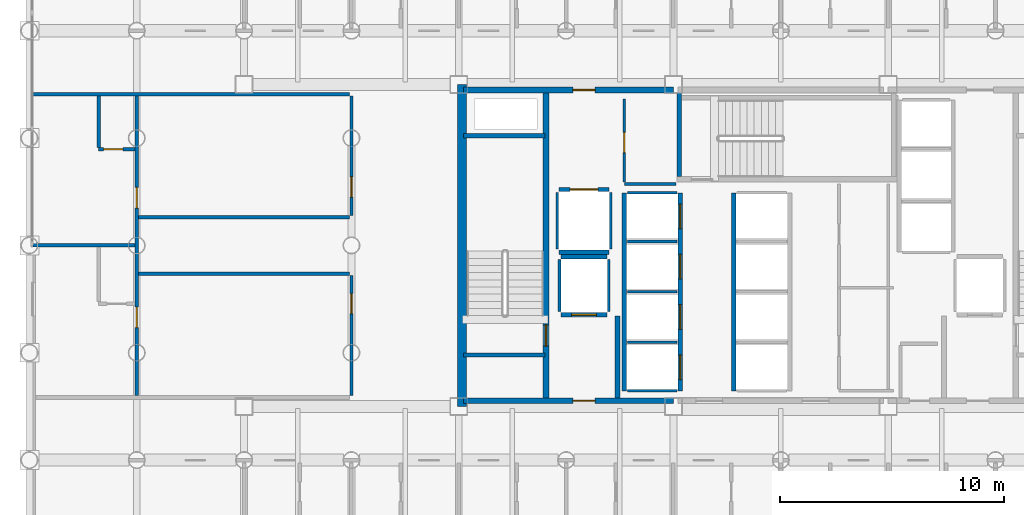
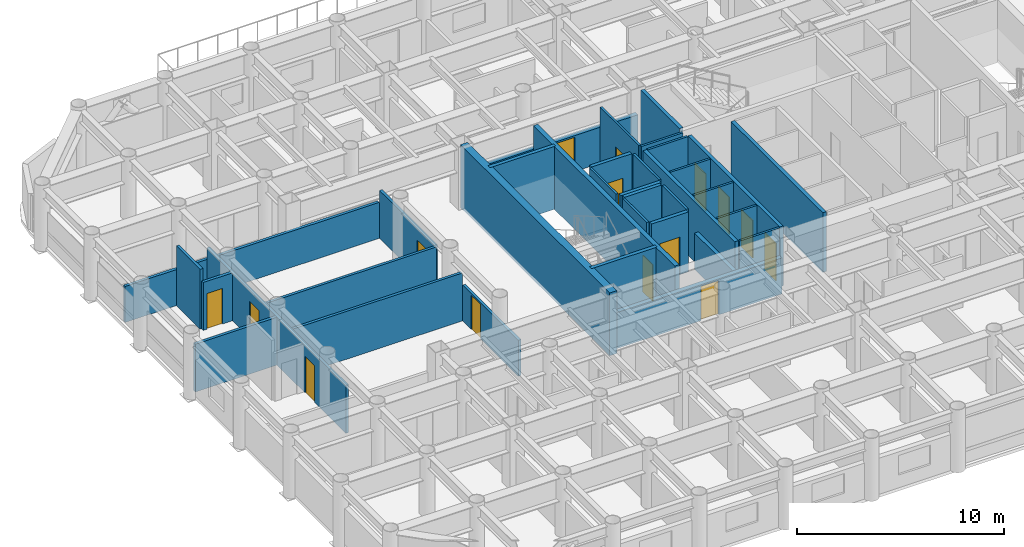
# One storey, part 18 of 24: 35 walls, 15 doors, 15 openings.
"""IFC4 building model written with IfcOpenShell, lengths in metres."""

from ifc_helpers import new_model, si_unit, direction, frame, frame_2d, origin, place, context, subcontext, project, spatial, rectangle, extrude, material, layer, layer_set, type_object, element, fill, save


model = new_model("IFC4")

# Units and contexts
model_context = context("Model", 3, precision=1e-05, world=origin(), true_north=direction((0.0, 1.0)))
body_context = subcontext(model_context, "Body", "Model", "MODEL_VIEW")
ifc_project = project(units=[si_unit("LENGTHUNIT", "METRE"), si_unit("AREAUNIT", "SQUARE_METRE"), si_unit("VOLUMEUNIT", "CUBIC_METRE"), si_unit("PLANEANGLEUNIT", "RADIAN"), si_unit("MASSUNIT", "GRAM", prefix="KILO")], contexts=[model_context])

# Site, building, storey
site_placement = place(None, origin())
site = spatial("IfcSite", under=ifc_project, at=site_placement, CompositionType="ELEMENT")
building_placement = place(site_placement, origin())
building = spatial("IfcBuilding", under=site, at=building_placement, Name="Kallvorn Hotel Tower", CompositionType="ELEMENT")
storey_placement = place(building_placement, frame((0.0, 0.0, 30.0)))
storey = spatial("IfcBuildingStorey", under=building, at=storey_placement, Name="L05", CompositionType="ELEMENT", Elevation=30.0)

# Walls
ifc_material_1 = material(Name="Concrete C50/60", Category="concrete")
ifc_layer_1 = layer(ifc_material_1, 0.39990234375)
ifc_layer_set_1 = layer_set([ifc_layer_1], Name="WL_CORE_400")
wall_type_1 = type_object("IfcWallType", Name="WL_CORE_400", PredefinedType="SHEAR", material=ifc_layer_set_1)
wall_1_placement = place(storey_placement, frame((-14.264892578125, -7.199951171875, -0.179931640625), z_axis=(0.0, 0.0, 1.0), x_axis=(0.0, 1.0, 0.0)))
element("IfcWall", 1, at=wall_1_placement, inside=storey, type_object=wall_type_1, Name="L05 Core West Shear Wall", PredefinedType="SHEAR", context=body_context, shape_type="SweptSolid", body=[
    extrude(rectangle(XDim=14.39990234375, YDim=0.39990234375, at=frame_2d((7.199951171875, 0.0))), origin(), (0.0, 0.0, 1.0), 3.699951171875),
])
ifc_material_2 = material(Name="Fire-rated double-layer acoustic gypsum drywall EI 60")
ifc_layer_2 = layer(ifc_material_2, 0.159912109375)
ifc_layer_set_2 = layer_set([ifc_layer_2], Name="WL_DEMISE_160")
wall_type_2 = type_object("IfcWallType", Name="WL_DEMISE_160", PredefinedType="PARTITIONING", material=ifc_layer_set_2)
wall_2_placement = place(storey_placement, frame((-33.429931640625, 0.0, 0.0), z_axis=(0.0, 0.0, 1.0), x_axis=(1.0, 0.0, 0.0)))
element("IfcWall", 2, at=wall_2_placement, inside=storey, type_object=wall_type_2, Name="L05 Suite 502 W Andean Twin Room Partition", PredefinedType="PARTITIONING", context=body_context, shape_type="SweptSolid", body=[
    extrude(rectangle(XDim=4.550048828125, YDim=0.159912109375, at=frame_2d((2.27490234375, 0.0))), origin(), (0.0, 0.0, 1.0), 2.820068359375),
])

# Wall, opening, door
wall_3_placement = place(storey_placement, frame((-30.5, 4.300048828125, 0.0), z_axis=(0.0, 0.0, 1.0), x_axis=(1.0, 0.0, 0.0)))
wall_3 = element("IfcWall", 3, at=wall_3_placement, inside=storey, type_object=wall_type_2, Name="L05 Suite 502 W Andean Twin Room Partition", PredefinedType="PARTITIONING", context=body_context, shape_type="SweptSolid", body=[
    extrude(rectangle(XDim=1.6201171875, YDim=0.159912109375, at=frame_2d((0.81005859375, 0.0))), origin(), (0.0, 0.0, 1.0), 2.820068359375),
])
opening_1_placement = place(wall_3_placement, frame((0.219970703125, 0.0, 0.0)))
opening_1 = element("IfcOpeningElement", 4, at=opening_1_placement, cuts=wall_3, Name="Opening BD-I", PredefinedType="OPENING", context=body_context, shape_type="SweptSolid", body=[
    extrude(rectangle(XDim=0.860107421875, YDim=2.10009765625, at=frame_2d((0.43017578125, 1.050048828125))), frame((0.0, 0.094970703125, 0.0), z_axis=(0.0, -1.0, 0.0), x_axis=(1.0, 0.0, 0.0)), (0.0, 0.0, 1.0), 0.18994140625),
])
ifc_material_3 = material(Name="Solid-core walnut veneer fire-rated timber door leaf", Category="wood")
door_type_1 = type_object("IfcDoorType", Name="DR_BATH_860x2100", OperationType="NOTDEFINED", PredefinedType="DOOR", material=ifc_material_3)
door_1_placement = place(opening_1_placement, origin())
door_1 = element("IfcDoor", 5, at=door_1_placement, inside=storey, type_object=door_type_1, Name="L05 Suite 502 En-Suite Bathroom Door", OperationType="SINGLE_SWING_LEFT", OverallHeight=2.10009765625, OverallWidth=0.860107421875, PredefinedType="DOOR", context=body_context, shape_type="SweptSolid", body=[
    extrude(rectangle(XDim=0.860107421875, YDim=2.10009765625, at=frame_2d((0.43017578125, 1.050048828125))), frame((0.0, 0.02490234375, 0.0), z_axis=(0.0, -1.0, 0.0), x_axis=(1.0, 0.0, 0.0)), (0.0, 0.0, 1.0), 0.050048828125),
])
fill(opening_1, door_1)

# Walls
wall_4_placement = place(storey_placement, frame((-33.429931640625, 6.75830078125, 0.0), z_axis=(0.0, 0.0, 1.0), x_axis=(1.0, 0.0, 0.0)))
element("IfcWall", 6, at=wall_4_placement, inside=storey, type_object=wall_type_2, Name="L05 Suite 502 W Andean Twin Room Partition", PredefinedType="PARTITIONING", context=body_context, shape_type="SweptSolid", body=[
    extrude(rectangle(XDim=14.14990234375, YDim=0.159912109375, at=frame_2d((7.074951171875, 0.0))), origin(), (0.0, 0.0, 1.0), 2.1201171875),
])
wall_5_placement = place(storey_placement, frame((-30.5, 4.385009765625, 0.0), z_axis=(0.0, 0.0, 1.0), x_axis=(0.0, 1.0, 0.0)))
element("IfcWall", 7, at=wall_5_placement, inside=storey, type_object=wall_type_2, Name="L05 Suite 502 W Andean Twin Room Partition", PredefinedType="PARTITIONING", context=body_context, shape_type="SweptSolid", body=[
    extrude(rectangle(XDim=2.288330078125, YDim=0.159912109375, at=frame_2d((1.14404296875, 0.0))), origin(), (0.0, 0.0, 1.0), 3.52001953125),
])

# Wall, openings, doors
wall_6_placement = place(storey_placement, frame((-28.800048828125, -6.715087890625, 0.0), z_axis=(0.0, 0.0, 1.0), x_axis=(0.0, 1.0, 0.0)))
wall_6 = element("IfcWall", 8, at=wall_6_placement, inside=storey, type_object=wall_type_2, Name="L05 Suite 501 W Loggia King Room Partition", PredefinedType="PARTITIONING", context=body_context, shape_type="SweptSolid", body=[
    extrude(rectangle(XDim=13.388427734375, YDim=0.159912109375, at=frame_2d((6.6943359375, 0.0))), origin(), (0.0, 0.0, 1.0), 2.820068359375),
])
opening_2_placement = place(wall_6_placement, frame((3.034912109375, 0.0, 0.0)))
opening_2 = element("IfcOpeningElement", 9, at=opening_2_placement, cuts=wall_6, Name="Opening GD1", PredefinedType="OPENING", context=body_context, shape_type="SweptSolid", body=[
    extrude(rectangle(XDim=0.919921875, YDim=2.14990234375, at=frame_2d((0.4599609375, 1.074951171875))), frame((0.0, 0.094970703125, 0.0), z_axis=(0.0, -1.0, 0.0), x_axis=(1.0, 0.0, 0.0)), (0.0, 0.0, 1.0), 0.18994140625),
])
opening_3_placement = place(wall_6_placement, frame((8.385009765625, 0.0, 0.0)))
opening_3 = element("IfcOpeningElement", 10, at=opening_3_placement, cuts=wall_6, Name="Opening GD1", PredefinedType="OPENING", context=body_context, shape_type="SweptSolid", body=[
    extrude(rectangle(XDim=0.919921875, YDim=2.14990234375, at=frame_2d((0.4599609375, 1.074951171875))), frame((0.0, 0.094970703125, 0.0), z_axis=(0.0, -1.0, 0.0), x_axis=(1.0, 0.0, 0.0)), (0.0, 0.0, 1.0), 0.18994140625),
])
ifc_material_4 = material(Name="Solid-core walnut veneer fire-rated timber door leaf", Category="wood")
door_type_2 = type_object("IfcDoorType", Name="DR_GUEST_920x2150", OperationType="NOTDEFINED", PredefinedType="DOOR", material=ifc_material_4)
door_2_placement = place(opening_2_placement, origin())
door_2 = element("IfcDoor", 11, at=door_2_placement, inside=storey, type_object=door_type_2, Name="L05 Suite 501 W Loggia King Room Door", OperationType="SINGLE_SWING_RIGHT", OverallHeight=2.14990234375, OverallWidth=0.919921875, PredefinedType="DOOR", context=body_context, shape_type="SweptSolid", body=[
    extrude(rectangle(XDim=0.919921875, YDim=2.14990234375, at=frame_2d((0.4599609375, 1.074951171875))), frame((0.0, 0.02490234375, 0.0), z_axis=(0.0, -1.0, 0.0), x_axis=(1.0, 0.0, 0.0)), (0.0, 0.0, 1.0), 0.050048828125),
])
fill(opening_2, door_2)
door_3_placement = place(opening_3_placement, origin())
door_3 = element("IfcDoor", 12, at=door_3_placement, inside=storey, type_object=door_type_2, Name="L05 Suite 502 W Andean Twin Room Door", OperationType="SINGLE_SWING_LEFT", OverallHeight=2.14990234375, OverallWidth=0.919921875, PredefinedType="DOOR", context=body_context, shape_type="SweptSolid", body=[
    extrude(rectangle(XDim=0.919921875, YDim=2.14990234375, at=frame_2d((0.4599609375, 1.074951171875))), frame((0.0, 0.02490234375, 0.0), z_axis=(0.0, -1.0, 0.0), x_axis=(1.0, 0.0, 0.0)), (0.0, 0.0, 1.0), 0.050048828125),
])
fill(opening_3, door_3)

# Walls
ifc_material_5 = material(Name="Concrete C40/50", Category="concrete")
ifc_layer_3 = layer(ifc_material_5, 0.219970703125)
ifc_layer_set_3 = layer_set([ifc_layer_3], Name="WL_FFL_220")
wall_type_3 = type_object("IfcWallType", Name="WL_FFL_220", PredefinedType="SOLIDWALL", material=ifc_layer_set_3)
wall_7_placement = place(storey_placement, frame((-7.300048828125, -6.820068359375, 0.0), z_axis=(0.0, 0.0, 1.0), x_axis=(0.0, 1.0, 0.0)))
element("IfcWall", 13, at=wall_7_placement, inside=storey, type_object=wall_type_3, Name="L05 Firefighting Lobby West Divider Wall", PredefinedType="SOLIDWALL", context=body_context, shape_type="SweptSolid", body=[
    extrude(rectangle(XDim=3.670166015625, YDim=0.219970703125, at=frame_2d((1.8349609375, 0.0))), origin(), (0.0, 0.0, 1.0), 2.1201171875),
])
ifc_material_6 = material(Name="Concrete C40/50", Category="concrete")
ifc_layer_4 = layer(ifc_material_6, 0.199951171875)
ifc_layer_set_4 = layer_set([ifc_layer_4], Name="WL_HOIST_200")
wall_type_4 = type_object("IfcWallType", Name="WL_HOIST_200", PredefinedType="SOLIDWALL", material=ifc_layer_set_4)
for number, where, z_axis, x_axis, name in (
    (14, (-14.199951171875, -4.89990234375, -0.179931640625), (0.0, 0.0, 1.0), (1.0, 0.0, 0.0), "L05 Stair ST1 South Wall"),
    (15, (-14.199951171875, 4.89990234375, -0.179931640625), (0.0, 0.0, 1.0), (1.0, 0.0, 0.0), "L05 Stair ST1 North Wall"),
):
    element("IfcWall", number, at=place(storey_placement, frame(where, z_axis=z_axis, x_axis=x_axis)), inside=storey, type_object=wall_type_4, Name=name, PredefinedType="SOLIDWALL", context=body_context, shape_type="SweptSolid", body=[
        extrude(rectangle(XDim=3.64990234375, YDim=0.199951171875, at=frame_2d((1.824951171875, 0.0))), origin(), (0.0, 0.0, 1.0), 3.699951171875),
    ])
wall_8_placement = place(storey_placement, frame((-4.550048828125, 3.080078125, -0.179931640625), z_axis=(0.0, 0.0, 1.0), x_axis=(0.0, 1.0, 0.0)))
element("IfcWall", 16, at=wall_8_placement, inside=storey, type_object=wall_type_4, Name="L05 Stair ST3 West Wall", PredefinedType="SOLIDWALL", context=body_context, shape_type="SweptSolid", body=[
    extrude(rectangle(XDim=3.739990234375, YDim=0.199951171875, at=frame_2d((1.8701171875, 0.0))), origin(), (0.0, 0.0, 1.0), 3.699951171875),
])

# Wall, openings, doors
wall_9_placement = place(storey_placement, frame((-4.5, -6.5, 0.0), z_axis=(0.0, 0.0, 1.0), x_axis=(0.0, 1.0, 0.0)))
wall_9 = element("IfcWall", 17, at=wall_9_placement, inside=storey, type_object=wall_type_4, Name="L05 Lift Bank B1 Landing Wall", PredefinedType="SOLIDWALL", context=body_context, shape_type="SweptSolid", body=[
    extrude(rectangle(XDim=8.85009765625, YDim=0.199951171875, at=frame_2d((4.425048828125, 0.0))), origin(), (0.0, 0.0, 1.0), 3.52001953125),
])
opening_4_placement = place(wall_9_placement, frame((0.5, 0.0, 0.0)))
opening_4 = element("IfcOpeningElement", 18, at=opening_4_placement, cuts=wall_9, Name="Opening LD-PL-01", PredefinedType="OPENING", context=body_context, shape_type="SweptSolid", body=[
    extrude(rectangle(XDim=1.10009765625, YDim=2.199951171875, at=frame_2d((0.550048828125, 1.10009765625))), frame((0.0, 0.114990234375, 0.0), z_axis=(0.0, -1.0, 0.0), x_axis=(1.0, 0.0, 0.0)), (0.0, 0.0, 1.0), 0.22998046875),
])
opening_5_placement = place(wall_9_placement, frame((2.75, 0.0, 0.0)))
opening_5 = element("IfcOpeningElement", 19, at=opening_5_placement, cuts=wall_9, Name="Opening LD-PL-02", PredefinedType="OPENING", context=body_context, shape_type="SweptSolid", body=[
    extrude(rectangle(XDim=1.10009765625, YDim=2.199951171875, at=frame_2d((0.550048828125, 1.10009765625))), frame((0.0, 0.114990234375, 0.0), z_axis=(0.0, -1.0, 0.0), x_axis=(1.0, 0.0, 0.0)), (0.0, 0.0, 1.0), 0.22998046875),
])
opening_6_placement = place(wall_9_placement, frame((5.0, 0.0, 0.0)))
opening_6 = element("IfcOpeningElement", 20, at=opening_6_placement, cuts=wall_9, Name="Opening LD-PL-03", PredefinedType="OPENING", context=body_context, shape_type="SweptSolid", body=[
    extrude(rectangle(XDim=1.10009765625, YDim=2.199951171875, at=frame_2d((0.550048828125, 1.10009765625))), frame((0.0, 0.114990234375, 0.0), z_axis=(0.0, -1.0, 0.0), x_axis=(1.0, 0.0, 0.0)), (0.0, 0.0, 1.0), 0.22998046875),
])
opening_7_placement = place(wall_9_placement, frame((7.25, 0.0, 0.0)))
opening_7 = element("IfcOpeningElement", 21, at=opening_7_placement, cuts=wall_9, Name="Opening LD-PL-04", PredefinedType="OPENING", context=body_context, shape_type="SweptSolid", body=[
    extrude(rectangle(XDim=1.10009765625, YDim=2.199951171875, at=frame_2d((0.550048828125, 1.10009765625))), frame((0.0, 0.114990234375, 0.0), z_axis=(0.0, -1.0, 0.0), x_axis=(1.0, 0.0, 0.0)), (0.0, 0.0, 1.0), 0.22998046875),
])
ifc_material_7 = material(Name="Brushed stainless-steel automatic sliding lift landing door", Category="steel")
door_type_3 = type_object("IfcDoorType", Name="LD_PASS_1100x2200", OperationType="SLIDING_TO_LEFT", PredefinedType="DOOR", material=ifc_material_7)
door_4_placement = place(opening_4_placement, origin())
door_4 = element("IfcDoor", 22, at=door_4_placement, inside=storey, type_object=door_type_3, Name="L05 Lift Landing Sliding Door LD-PL-01", OperationType="SLIDING_TO_LEFT", OverallHeight=2.199951171875, OverallWidth=1.10009765625, PredefinedType="DOOR", context=body_context, shape_type="SweptSolid", body=[
    extrude(rectangle(XDim=1.10009765625, YDim=2.199951171875, at=frame_2d((0.550048828125, 1.10009765625))), frame((0.0, 0.02490234375, 0.0), z_axis=(0.0, -1.0, 0.0), x_axis=(1.0, 0.0, 0.0)), (0.0, 0.0, 1.0), 0.050048828125),
])
fill(opening_4, door_4)
door_5_placement = place(opening_5_placement, origin())
door_5 = element("IfcDoor", 23, at=door_5_placement, inside=storey, type_object=door_type_3, Name="L05 Lift Landing Sliding Door LD-PL-02", OperationType="SLIDING_TO_LEFT", OverallHeight=2.199951171875, OverallWidth=1.10009765625, PredefinedType="DOOR", context=body_context, shape_type="SweptSolid", body=[
    extrude(rectangle(XDim=1.10009765625, YDim=2.199951171875, at=frame_2d((0.550048828125, 1.10009765625))), frame((0.0, 0.02490234375, 0.0), z_axis=(0.0, -1.0, 0.0), x_axis=(1.0, 0.0, 0.0)), (0.0, 0.0, 1.0), 0.050048828125),
])
fill(opening_5, door_5)
door_6_placement = place(opening_6_placement, origin())
door_6 = element("IfcDoor", 24, at=door_6_placement, inside=storey, type_object=door_type_3, Name="L05 Lift Landing Sliding Door LD-PL-03", OperationType="SLIDING_TO_LEFT", OverallHeight=2.199951171875, OverallWidth=1.10009765625, PredefinedType="DOOR", context=body_context, shape_type="SweptSolid", body=[
    extrude(rectangle(XDim=1.10009765625, YDim=2.199951171875, at=frame_2d((0.550048828125, 1.10009765625))), frame((0.0, 0.02490234375, 0.0), z_axis=(0.0, -1.0, 0.0), x_axis=(1.0, 0.0, 0.0)), (0.0, 0.0, 1.0), 0.050048828125),
])
fill(opening_6, door_6)
door_7_placement = place(opening_7_placement, origin())
door_7 = element("IfcDoor", 25, at=door_7_placement, inside=storey, type_object=door_type_3, Name="L05 Lift Landing Sliding Door LD-PL-04", OperationType="SLIDING_TO_LEFT", OverallHeight=2.199951171875, OverallWidth=1.10009765625, PredefinedType="DOOR", context=body_context, shape_type="SweptSolid", body=[
    extrude(rectangle(XDim=1.10009765625, YDim=2.199951171875, at=frame_2d((0.550048828125, 1.10009765625))), frame((0.0, 0.02490234375, 0.0), z_axis=(0.0, -1.0, 0.0), x_axis=(1.0, 0.0, 0.0)), (0.0, 0.0, 1.0), 0.050048828125),
])
fill(opening_7, door_7)

# Walls
for number, where, z_axis, x_axis, name in (
    (26, (-7.0, -6.5, 0.0), (0.0, 0.0, 1.0), (0.0, 1.0, 0.0), "L05 Lift Bank B1 Rear Shaft Wall"),
    (27, (-2.10009765625, -6.5, 0.0), (0.0, 0.0, 1.0), (0.0, 1.0, 0.0), "L05 Lift Bank B2 Landing Wall"),
):
    element("IfcWall", number, at=place(storey_placement, frame(where, z_axis=z_axis, x_axis=x_axis)), inside=storey, type_object=wall_type_4, Name=name, PredefinedType="SOLIDWALL", context=body_context, shape_type="SweptSolid", body=[
        extrude(rectangle(XDim=8.85009765625, YDim=0.199951171875, at=frame_2d((4.425048828125, 0.0))), origin(), (0.0, 0.0, 1.0), 3.52001953125),
    ])

# Wall, opening, door
wall_10_placement = place(storey_placement, frame((-9.820068359375, -3.10009765625, 0.0), z_axis=(0.0, 0.0, 1.0), x_axis=(1.0, 0.0, 0.0)))
wall_10 = element("IfcWall", 28, at=wall_10_placement, inside=storey, type_object=wall_type_4, Name="L05 FL-1 Landing Wall", PredefinedType="SOLIDWALL", context=body_context, shape_type="SweptSolid", body=[
    extrude(rectangle(XDim=2.0400390625, YDim=0.199951171875, at=frame_2d((1.02001953125, 0.0))), origin(), (0.0, 0.0, 1.0), 3.52001953125),
])
opening_8_placement = place(wall_10_placement, frame((0.469970703125, 0.0, 0.0)))
opening_8 = element("IfcOpeningElement", 29, at=opening_8_placement, cuts=wall_10, Name="Opening LD-FL-1", PredefinedType="OPENING", context=body_context, shape_type="SweptSolid", body=[
    extrude(rectangle(XDim=1.10009765625, YDim=2.199951171875, at=frame_2d((0.550048828125, 1.10009765625))), frame((0.0, 0.114990234375, 0.0), z_axis=(0.0, -1.0, 0.0), x_axis=(1.0, 0.0, 0.0)), (0.0, 0.0, 1.0), 0.22998046875),
])
door_8_placement = place(opening_8_placement, origin())
door_8 = element("IfcDoor", 30, at=door_8_placement, inside=storey, type_object=door_type_3, Name="L05 Lift Landing Sliding Door LD-FL-1", OperationType="SLIDING_TO_LEFT", OverallHeight=2.199951171875, OverallWidth=1.10009765625, PredefinedType="DOOR", context=body_context, shape_type="SweptSolid", body=[
    extrude(rectangle(XDim=1.10009765625, YDim=2.199951171875, at=frame_2d((0.550048828125, 1.10009765625))), frame((0.0, 0.02490234375, 0.0), z_axis=(0.0, -1.0, 0.0), x_axis=(1.0, 0.0, 0.0)), (0.0, 0.0, 1.0), 0.050048828125),
])
fill(opening_8, door_8)

# Wall
wall_11_placement = place(storey_placement, frame((-9.820068359375, -0.5, 0.0), z_axis=(0.0, 0.0, 1.0), x_axis=(1.0, 0.0, 0.0)))
element("IfcWall", 31, at=wall_11_placement, inside=storey, type_object=wall_type_4, Name="L05 FL-1 Rear Shaft Wall", PredefinedType="SOLIDWALL", context=body_context, shape_type="SweptSolid", body=[
    extrude(rectangle(XDim=2.0400390625, YDim=0.199951171875, at=frame_2d((1.02001953125, 0.0))), origin(), (0.0, 0.0, 1.0), 3.52001953125),
])

# Wall, opening, door
wall_12_placement = place(storey_placement, frame((-9.919921875, 2.5, 0.0), z_axis=(0.0, 0.0, 1.0), x_axis=(1.0, 0.0, 0.0)))
wall_12 = element("IfcWall", 32, at=wall_12_placement, inside=storey, type_object=wall_type_4, Name="L05 SV-01 Landing Wall", PredefinedType="SOLIDWALL", context=body_context, shape_type="SweptSolid", body=[
    extrude(rectangle(XDim=2.239990234375, YDim=0.199951171875, at=frame_2d((1.1201171875, 0.0))), origin(), (0.0, 0.0, 1.0), 3.52001953125),
])
opening_9_placement = place(wall_12_placement, frame((0.4951171875, 0.0, 0.0)))
opening_9 = element("IfcOpeningElement", 33, at=opening_9_placement, cuts=wall_12, Name="Opening LD-SV-01", PredefinedType="OPENING", context=body_context, shape_type="SweptSolid", body=[
    extrude(rectangle(XDim=1.25, YDim=2.25, at=frame_2d((0.625, 1.125))), frame((0.0, 0.114990234375, 0.0), z_axis=(0.0, -1.0, 0.0), x_axis=(1.0, 0.0, 0.0)), (0.0, 0.0, 1.0), 0.22998046875),
])
ifc_material_8 = material(Name="Brushed stainless-steel automatic sliding lift landing door", Category="steel")
door_type_4 = type_object("IfcDoorType", Name="LD_SERV_1250x2250", OperationType="SLIDING_TO_LEFT", PredefinedType="DOOR", material=ifc_material_8)
door_9_placement = place(opening_9_placement, origin())
door_9 = element("IfcDoor", 34, at=door_9_placement, inside=storey, type_object=door_type_4, Name="L05 Lift Landing Sliding Door LD-SV-01", OperationType="SLIDING_TO_LEFT", OverallHeight=2.25, OverallWidth=1.25, PredefinedType="DOOR", context=body_context, shape_type="SweptSolid", body=[
    extrude(rectangle(XDim=1.25, YDim=2.25, at=frame_2d((0.625, 1.125))), frame((0.0, 0.02490234375, 0.0), z_axis=(0.0, -1.0, 0.0), x_axis=(1.0, 0.0, 0.0)), (0.0, 0.0, 1.0), 0.050048828125),
])
fill(opening_9, door_9)

# Walls
wall_13_placement = place(storey_placement, frame((-9.919921875, -0.300048828125, 0.0), z_axis=(0.0, 0.0, 1.0), x_axis=(1.0, 0.0, 0.0)))
element("IfcWall", 35, at=wall_13_placement, inside=storey, type_object=wall_type_4, Name="L05 SV-01 Rear Shaft Wall", PredefinedType="SOLIDWALL", context=body_context, shape_type="SweptSolid", body=[
    extrude(rectangle(XDim=2.239990234375, YDim=0.199951171875, at=frame_2d((1.1201171875, 0.0))), origin(), (0.0, 0.0, 1.0), 3.52001953125),
])
ifc_material_9 = material(Name="Fire-rated double-layer acoustic gypsum drywall EI 60")
ifc_layer_5 = layer(ifc_material_9, 0.1201171875)
ifc_layer_set_5 = layer_set([ifc_layer_5], Name="WL_INT_120")
wall_type_5 = type_object("IfcWallType", Name="WL_INT_120", PredefinedType="PARTITIONING", material=ifc_layer_set_5)
for number, where, z_axis, x_axis, name in (
    (36, (-6.860107421875, -6.5, 0.0), (0.0, 0.0, 1.0), (1.0, 0.0, 0.0), "L05 Lift Bank B1 South Closure Wall"),
    (37, (-6.860107421875, -4.324951171875, 0.0), (0.0, 0.0, 1.0), (1.0, 0.0, 0.0), "L05 PL-01 Hoistway Divider"),
    (38, (-6.860107421875, -2.074951171875, 0.0), (0.0, 0.0, 1.0), (1.0, 0.0, 0.0), "L05 PL-02 Hoistway Divider"),
    (39, (-6.860107421875, 0.175048828125, 0.0), (0.0, 0.0, 1.0), (1.0, 0.0, 0.0), "L05 PL-03 Hoistway Divider"),
    (40, (-6.860107421875, 2.35009765625, 0.0), (0.0, 0.0, 1.0), (1.0, 0.0, 0.0), "L05 PL-04 Hoistway Divider"),
):
    element("IfcWall", number, at=place(storey_placement, frame(where, z_axis=z_axis, x_axis=x_axis)), inside=storey, type_object=wall_type_5, Name=name, PredefinedType="PARTITIONING", context=body_context, shape_type="SweptSolid", body=[
        extrude(rectangle(XDim=2.22021484375, YDim=0.1201171875, at=frame_2d((1.110107421875, 0.0))), origin(), (0.0, 0.0, 1.0), 3.52001953125),
    ])
for number, where, z_axis, x_axis, name in (
    (41, (-9.89990234375, -2.9599609375, 0.0), (0.0, 0.0, 1.0), (0.0, 1.0, 0.0), "L05 FL-1 West Shaft Wall"),
    (42, (-7.699951171875, -2.9599609375, 0.0), (0.0, 0.0, 1.0), (0.0, 1.0, 0.0), "L05 FL-1 East Shaft Wall"),
):
    element("IfcWall", number, at=place(storey_placement, frame(where, z_axis=z_axis, x_axis=x_axis)), inside=storey, type_object=wall_type_5, Name=name, PredefinedType="PARTITIONING", context=body_context, shape_type="SweptSolid", body=[
        extrude(rectangle(XDim=2.320068359375, YDim=0.1201171875, at=frame_2d((1.16015625, 0.0))), origin(), (0.0, 0.0, 1.0), 3.52001953125),
    ])
for number, where, z_axis, x_axis, name in (
    (43, (-10.0, -0.159912109375, 0.0), (0.0, 0.0, 1.0), (0.0, 1.0, 0.0), "L05 SV-01 West Shaft Wall"),
    (44, (-7.60009765625, -0.159912109375, 0.0), (0.0, 0.0, 1.0), (0.0, 1.0, 0.0), "L05 SV-01 East Shaft Wall"),
):
    element("IfcWall", number, at=place(storey_placement, frame(where, z_axis=z_axis, x_axis=x_axis)), inside=storey, type_object=wall_type_5, Name=name, PredefinedType="PARTITIONING", context=body_context, shape_type="SweptSolid", body=[
        extrude(rectangle(XDim=2.52001953125, YDim=0.1201171875, at=frame_2d((1.260009765625, 0.0))), origin(), (0.0, 0.0, 1.0), 3.52001953125),
    ])
wall_14_placement = place(storey_placement, frame((-7.0, 2.75, 0.0), z_axis=(0.0, 0.0, 1.0), x_axis=(1.0, 0.0, 0.0)))
element("IfcWall", 45, at=wall_14_placement, inside=storey, type_object=wall_type_5, Name="L05 Core Cleaners and Janitor Store Partition", PredefinedType="PARTITIONING", context=body_context, shape_type="SweptSolid", body=[
    extrude(rectangle(XDim=2.31005859375, YDim=0.1201171875, at=frame_2d((1.155029296875, 0.0))), origin(), (0.0, 0.0, 1.0), 3.52001953125),
])

# Wall, opening, door
wall_15_placement = place(storey_placement, frame((-7.0, 2.8349609375, 0.0), z_axis=(0.0, 0.0, 1.0), x_axis=(0.0, 1.0, 0.0)))
wall_15 = element("IfcWall", 46, at=wall_15_placement, inside=storey, type_object=wall_type_5, Name="L05 Core Cleaners and Janitor Store Partition", PredefinedType="PARTITIONING", context=body_context, shape_type="SweptSolid", body=[
    extrude(rectangle(XDim=3.715087890625, YDim=0.1201171875, at=frame_2d((1.857421875, 0.0))), origin(), (0.0, 0.0, 1.0), 3.52001953125),
])
opening_10_placement = place(wall_15_placement, frame((1.31494140625, 0.0, 0.0)))
opening_10 = element("IfcOpeningElement", 47, at=opening_10_placement, cuts=wall_15, Name="Opening SVD1", PredefinedType="OPENING", context=body_context, shape_type="SweptSolid", body=[
    extrude(rectangle(XDim=0.89990234375, YDim=2.10009765625, at=frame_2d((0.449951171875, 1.050048828125))), frame((0.0, 0.074951171875, 0.0), z_axis=(0.0, -1.0, 0.0), x_axis=(1.0, 0.0, 0.0)), (0.0, 0.0, 1.0), 0.150146484375),
])
ifc_material_10 = material(Name="Galvanised painted steel fire-rated door assembly", Category="steel")
door_type_5 = type_object("IfcDoorType", Name="DR_SERV_900x2100", OperationType="NOTDEFINED", PredefinedType="DOOR", material=ifc_material_10)
door_10_placement = place(opening_10_placement, origin())
door_10 = element("IfcDoor", 48, at=door_10_placement, inside=storey, type_object=door_type_5, Name="L05 Core Cleaners and Janitor Store Door", OperationType="SINGLE_SWING_RIGHT", OverallHeight=2.10009765625, OverallWidth=0.89990234375, PredefinedType="DOOR", context=body_context, shape_type="SweptSolid", body=[
    extrude(rectangle(XDim=0.89990234375, YDim=2.10009765625, at=frame_2d((0.449951171875, 1.050048828125))), frame((0.0, 0.02490234375, 0.0), z_axis=(0.0, -1.0, 0.0), x_axis=(1.0, 0.0, 0.0)), (0.0, 0.0, 1.0), 0.050048828125),
])
fill(opening_10, door_10)

# Walls
ifc_material_11 = material(Name="Fire-rated double-layer acoustic gypsum drywall EI 60")
ifc_layer_6 = layer(ifc_material_11, 0.14990234375)
ifc_layer_set_6 = layer_set([ifc_layer_6], Name="WL_PART_150")
wall_type_6 = type_object("IfcWallType", Name="WL_PART_150", PredefinedType="PARTITIONING", material=ifc_layer_set_6)
for number, where, z_axis, x_axis, name in (
    (49, (-28.719970703125, -1.260009765625, 0.0), (0.0, 0.0, 1.0), (1.0, 0.0, 0.0), "L05 L05 West Inner Club Bar Partition"),
    (50, (-28.719970703125, 1.260009765625, 0.0), (0.0, 0.0, 1.0), (1.0, 0.0, 0.0), "L05 L05 West Inner Reading Salon Partition"),
):
    element("IfcWall", number, at=place(storey_placement, frame(where, z_axis=z_axis, x_axis=x_axis)), inside=storey, type_object=wall_type_6, Name=name, PredefinedType="PARTITIONING", context=body_context, shape_type="SweptSolid", body=[
        extrude(rectangle(XDim=9.43994140625, YDim=0.14990234375, at=frame_2d((4.719970703125, 0.0))), origin(), (0.0, 0.0, 1.0), 2.820068359375),
    ])

# Wall, opening, door
wall_16_placement = place(storey_placement, frame((-19.199951171875, -6.715087890625, 0.0), z_axis=(0.0, 0.0, 1.0), x_axis=(0.0, 1.0, 0.0)))
wall_16 = element("IfcWall", 51, at=wall_16_placement, inside=storey, type_object=wall_type_6, Name="L05 L05 West Inner Club Bar Partition", PredefinedType="PARTITIONING", context=body_context, shape_type="SweptSolid", body=[
    extrude(rectangle(XDim=5.3701171875, YDim=0.14990234375, at=frame_2d((2.68505859375, 0.0))), origin(), (0.0, 0.0, 1.0), 2.1201171875),
])
opening_11_placement = place(wall_16_placement, frame((3.66015625, 0.0, 0.0)))
opening_11 = element("IfcOpeningElement", 52, at=opening_11_placement, cuts=wall_16, Name="Opening SVD1A", PredefinedType="OPENING", context=body_context, shape_type="SweptSolid", body=[
    extrude(rectangle(XDim=0.89990234375, YDim=2.02001953125, at=frame_2d((0.449951171875, 1.010009765625))), frame((0.0, 0.08984375, 0.0), z_axis=(0.0, -1.0, 0.0), x_axis=(1.0, 0.0, 0.0)), (0.0, 0.0, 1.0), 0.179931640625),
])
ifc_material_12 = material(Name="Galvanised painted steel fire-rated door assembly", Category="steel")
door_type_6 = type_object("IfcDoorType", Name="DR_SERV_900x2020", OperationType="NOTDEFINED", PredefinedType="DOOR", material=ifc_material_12)
door_11_placement = place(opening_11_placement, origin())
door_11 = element("IfcDoor", 53, at=door_11_placement, inside=storey, type_object=door_type_6, Name="L05 L05 West Inner Club Bar Door", OperationType="SINGLE_SWING_LEFT", OverallHeight=2.02001953125, OverallWidth=0.89990234375, PredefinedType="DOOR", context=body_context, shape_type="SweptSolid", body=[
    extrude(rectangle(XDim=0.89990234375, YDim=2.02001953125, at=frame_2d((0.449951171875, 1.010009765625))), frame((0.0, 0.02490234375, 0.0), z_axis=(0.0, -1.0, 0.0), x_axis=(1.0, 0.0, 0.0)), (0.0, 0.0, 1.0), 0.050048828125),
])
fill(opening_11, door_11)

wall_17_placement = place(storey_placement, frame((-19.199951171875, 1.344970703125, 0.0), z_axis=(0.0, 0.0, 1.0), x_axis=(0.0, 1.0, 0.0)))
wall_17 = element("IfcWall", 54, at=wall_17_placement, inside=storey, type_object=wall_type_6, Name="L05 L05 West Inner Reading Salon Partition", PredefinedType="PARTITIONING", context=body_context, shape_type="SweptSolid", body=[
    extrude(rectangle(XDim=5.328369140625, YDim=0.14990234375, at=frame_2d((2.6640625, 0.0))), origin(), (0.0, 0.0, 1.0), 2.820068359375),
])
opening_12_placement = place(wall_17_placement, frame((0.818115234375, 0.0, 0.0)))
opening_12 = element("IfcOpeningElement", 55, at=opening_12_placement, cuts=wall_17, Name="Opening SVD1", PredefinedType="OPENING", context=body_context, shape_type="SweptSolid", body=[
    extrude(rectangle(XDim=0.89990234375, YDim=2.10009765625, at=frame_2d((0.449951171875, 1.050048828125))), frame((0.0, 0.08984375, 0.0), z_axis=(0.0, -1.0, 0.0), x_axis=(1.0, 0.0, 0.0)), (0.0, 0.0, 1.0), 0.179931640625),
])
door_12_placement = place(opening_12_placement, origin())
door_12 = element("IfcDoor", 56, at=door_12_placement, inside=storey, type_object=door_type_5, Name="L05 L05 West Inner Reading Salon Door", OperationType="SINGLE_SWING_LEFT", OverallHeight=2.10009765625, OverallWidth=0.89990234375, PredefinedType="DOOR", context=body_context, shape_type="SweptSolid", body=[
    extrude(rectangle(XDim=0.89990234375, YDim=2.10009765625, at=frame_2d((0.449951171875, 1.050048828125))), frame((0.0, 0.02490234375, 0.0), z_axis=(0.0, -1.0, 0.0), x_axis=(1.0, 0.0, 0.0)), (0.0, 0.0, 1.0), 0.050048828125),
])
fill(opening_12, door_12)

ifc_material_13 = material(Name="Concrete C40/50", Category="concrete")
ifc_layer_7 = layer(ifc_material_13, 0.25)
ifc_layer_set_7 = layer_set([ifc_layer_7], Name="WL_SHAFT_250")
wall_type_7 = type_object("IfcWallType", Name="WL_SHAFT_250", PredefinedType="SOLIDWALL", material=ifc_layer_set_7)
wall_18_placement = place(storey_placement, frame((-14.199951171875, -6.949951171875, 0.0), z_axis=(0.0, 0.0, 1.0), x_axis=(1.0, 0.0, 0.0)))
wall_18 = element("IfcWall", 57, at=wall_18_placement, inside=storey, type_object=wall_type_7, Name="L05 Core South-West Wall", PredefinedType="SOLIDWALL", context=body_context, shape_type="SweptSolid", body=[
    extrude(rectangle(XDim=9.39990234375, YDim=0.25, at=frame_2d((4.699951171875, 0.0))), origin(), (0.0, 0.0, 1.0), 2.1201171875),
])
opening_13_placement = place(wall_18_placement, frame((4.89990234375, 0.0, 0.0)))
opening_13 = element("IfcOpeningElement", 58, at=opening_13_placement, cuts=wall_18, Name="Opening FD1A", PredefinedType="OPENING", context=body_context, shape_type="SweptSolid", body=[
    extrude(rectangle(XDim=1.0, YDim=2.02001953125, at=frame_2d((0.5, 1.010009765625))), frame((0.0, 0.139892578125, 0.0), z_axis=(0.0, -1.0, 0.0), x_axis=(1.0, 0.0, 0.0)), (0.0, 0.0, 1.0), 0.280029296875),
])
ifc_material_14 = material(Name="Galvanised painted steel fire-rated door assembly", Category="steel")
door_type_7 = type_object("IfcDoorType", Name="DR_FFL_1000x2020", OperationType="NOTDEFINED", PredefinedType="DOOR", material=ifc_material_14)
door_13_placement = place(opening_13_placement, origin())
door_13 = element("IfcDoor", 59, at=door_13_placement, inside=storey, type_object=door_type_7, Name="L05 Firefighting Lobby West Door", OperationType="SINGLE_SWING_RIGHT", OverallHeight=2.02001953125, OverallWidth=1.0, PredefinedType="DOOR", context=body_context, shape_type="SweptSolid", body=[
    extrude(rectangle(XDim=1.0, YDim=2.02001953125, at=frame_2d((0.5, 1.010009765625))), frame((0.0, 0.02490234375, 0.0), z_axis=(0.0, -1.0, 0.0), x_axis=(1.0, 0.0, 0.0)), (0.0, 0.0, 1.0), 0.050048828125),
])
fill(opening_13, door_13)

wall_19_placement = place(storey_placement, frame((-14.199951171875, 6.949951171875, 0.0), z_axis=(0.0, 0.0, 1.0), x_axis=(1.0, 0.0, 0.0)))
wall_19 = element("IfcWall", 60, at=wall_19_placement, inside=storey, type_object=wall_type_7, Name="L05 Core North-West Wall", PredefinedType="SOLIDWALL", context=body_context, shape_type="SweptSolid", body=[
    extrude(rectangle(XDim=9.39990234375, YDim=0.25, at=frame_2d((4.699951171875, 0.0))), origin(), (0.0, 0.0, 1.0), 2.1201171875),
])
opening_14_placement = place(wall_19_placement, frame((4.89990234375, 0.0, 0.0)))
opening_14 = element("IfcOpeningElement", 61, at=opening_14_placement, cuts=wall_19, Name="Opening FD1A", PredefinedType="OPENING", context=body_context, shape_type="SweptSolid", body=[
    extrude(rectangle(XDim=1.0, YDim=2.02001953125, at=frame_2d((0.5, 1.010009765625))), frame((0.0, 0.139892578125, 0.0), z_axis=(0.0, -1.0, 0.0), x_axis=(1.0, 0.0, 0.0)), (0.0, 0.0, 1.0), 0.280029296875),
])
door_14_placement = place(opening_14_placement, origin())
door_14 = element("IfcDoor", 62, at=door_14_placement, inside=storey, type_object=door_type_7, Name="L05 Service Lift Lobby Door", OperationType="SINGLE_SWING_RIGHT", OverallHeight=2.02001953125, OverallWidth=1.0, PredefinedType="DOOR", context=body_context, shape_type="SweptSolid", body=[
    extrude(rectangle(XDim=1.0, YDim=2.02001953125, at=frame_2d((0.5, 1.010009765625))), frame((0.0, 0.02490234375, 0.0), z_axis=(0.0, -1.0, 0.0), x_axis=(1.0, 0.0, 0.0)), (0.0, 0.0, 1.0), 0.050048828125),
])
fill(opening_14, door_14)

wall_20_placement = place(storey_placement, frame((-10.5, -6.820068359375, -0.179931640625), z_axis=(0.0, 0.0, 1.0), x_axis=(0.0, 1.0, 0.0)))
wall_20 = element("IfcWall", 63, at=wall_20_placement, inside=storey, type_object=wall_type_7, Name="L05 Stair ST1 Shaft Wall", PredefinedType="SOLIDWALL", context=body_context, shape_type="SweptSolid", body=[
    extrude(rectangle(XDim=13.64013671875, YDim=0.25, at=frame_2d((6.820068359375, 0.0))), origin(), (0.0, 0.0, 1.0), 3.699951171875),
])
opening_15_placement = place(wall_20_placement, frame((2.320068359375, 0.0, 0.179931640625)))
opening_15 = element("IfcOpeningElement", 64, at=opening_15_placement, cuts=wall_20, Name="Opening SD1", PredefinedType="OPENING", context=body_context, shape_type="SweptSolid", body=[
    extrude(rectangle(XDim=0.949951171875, YDim=2.14990234375, at=frame_2d((0.47509765625, 1.074951171875))), frame((0.0, 0.139892578125, 0.0), z_axis=(0.0, -1.0, 0.0), x_axis=(1.0, 0.0, 0.0)), (0.0, 0.0, 1.0), 0.280029296875),
])
ifc_material_15 = material(Name="Galvanised painted steel fire-rated door assembly", Category="steel")
door_type_8 = type_object("IfcDoorType", Name="DR_STAIR_950x2150", OperationType="NOTDEFINED", PredefinedType="DOOR", material=ifc_material_15)
door_15_placement = place(opening_15_placement, origin())
door_15 = element("IfcDoor", 65, at=door_15_placement, inside=storey, type_object=door_type_8, Name="L05 Exit Stair ST1 Fire Door", OperationType="SINGLE_SWING_RIGHT", OverallHeight=2.14990234375, OverallWidth=0.949951171875, PredefinedType="DOOR", context=body_context, shape_type="SweptSolid", body=[
    extrude(rectangle(XDim=0.949951171875, YDim=2.14990234375, at=frame_2d((0.47509765625, 1.074951171875))), frame((0.0, 0.02490234375, 0.0), z_axis=(0.0, -1.0, 0.0), x_axis=(1.0, 0.0, 0.0)), (0.0, 0.0, 1.0), 0.050048828125),
])
fill(opening_15, door_15)

save(model, "model.ifc")
